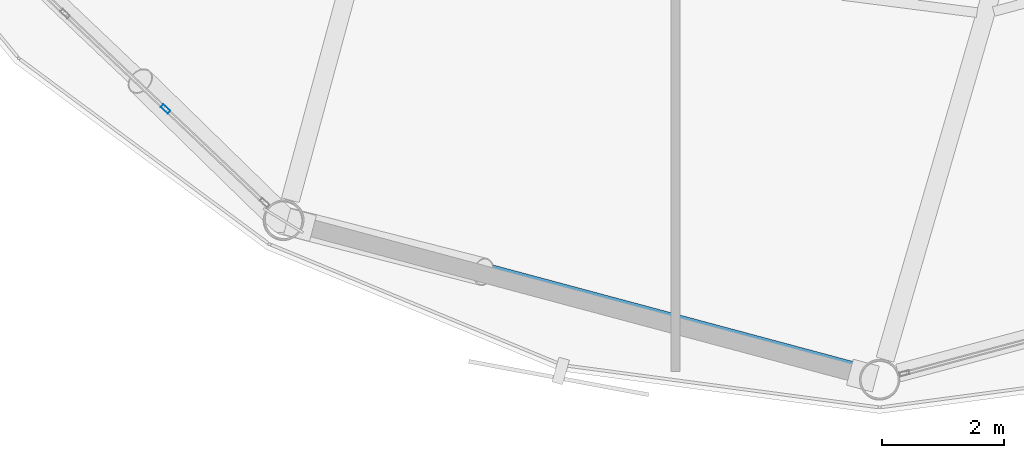
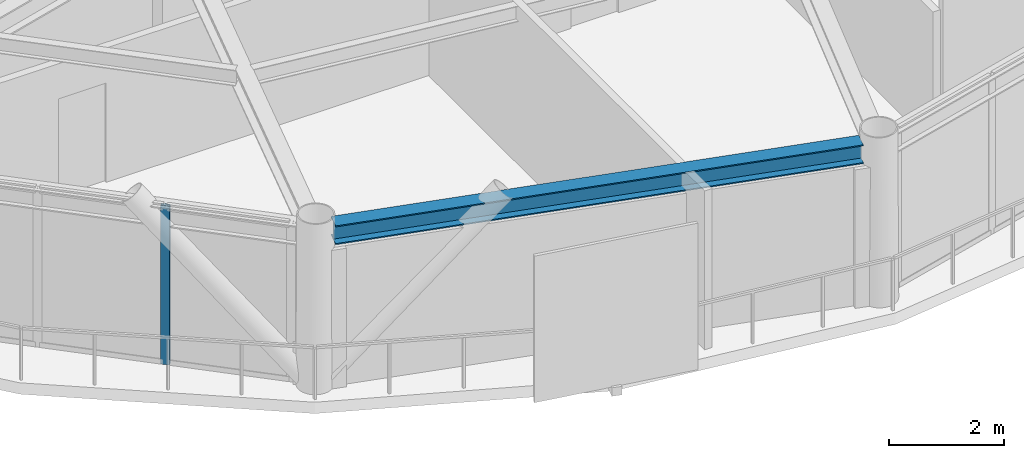
# One storey, part 3 of 29: 1 beam, 1 member, 1 element without a shape of its own.
"""IFC4 building model written with IfcOpenShell, lengths in metres."""

from ifc_helpers import new_model, si_unit, direction, frame, origin, origin_2d, place, context, subcontext, project, spatial, hollow_rectangle, i_section, extrude, material, layer, layer_set, material_profile, profile_set, type_object, element, aggregate, save


model = new_model("IFC4")

# Units and contexts
model_context = context("Model", 3, precision=1e-05, world=origin(), true_north=direction((0.0, 1.0)))
body_context = subcontext(model_context, "Body", "Model", "MODEL_VIEW")
ifc_project = project(units=[si_unit("LENGTHUNIT", "METRE"), si_unit("AREAUNIT", "SQUARE_METRE"), si_unit("VOLUMEUNIT", "CUBIC_METRE"), si_unit("PLANEANGLEUNIT", "RADIAN"), si_unit("MASSUNIT", "GRAM", prefix="KILO")], contexts=[model_context])

# Site, building, storey
site_placement = place(None, origin())
site = spatial("IfcSite", under=ifc_project, at=site_placement, CompositionType="ELEMENT")
building_placement = place(site_placement, origin())
building = spatial("IfcBuilding", under=site, at=building_placement, Name="Varnakorn Sky Granary", CompositionType="ELEMENT")
storey_placement = place(building_placement, frame((0.0, 0.0, 182.39990234375)))
storey = spatial("IfcBuildingStorey", under=building, at=storey_placement, Name="L45", CompositionType="ELEMENT", Elevation=182.39990234375)

# Beam
ifc_material_1 = material(Name="Steel S355JR", Category="steel")
ifc_material_profile_1 = material_profile(ifc_material_1, i_section(OverallWidth=0.300048828125, OverallDepth=0.39990234375, WebThickness=0.013427734375, FlangeThickness=0.02392578125, at=origin_2d()), Name="HE 400 B")
ifc_profile_set_1 = profile_set([ifc_material_profile_1], Name="Steel S355JR")
beam_type = type_object("IfcBeamType", Name="BM-SPD-Z4", PredefinedType="SPANDREL", material=ifc_profile_set_1)
beam_placement = place(storey_placement, frame((-4.601806640625, -16.1142578125, 3.16015625), z_axis=(0.965896949724, -0.258926789875, 0.0), x_axis=(0.258926789875, 0.965896949724, 0.0)))
element("IfcBeam", 1, at=beam_placement, inside=storey, type_object=beam_type, Name="Perimeter Spandrel Ring Beam RB09 L45", PredefinedType="SPANDREL", context=body_context, shape_type="SweptSolid", body=[
    extrude(i_section(OverallWidth=0.300048828125, OverallDepth=0.39990234375, WebThickness=0.013427734375, FlangeThickness=0.02392578125, at=origin_2d()), origin(), (0.0, 0.0, 1.0), 9.470458984375),
])

# Curtain wall, member
ifc_material_2 = material(Name="Anodised Bronze Aluminium Alloy 6063-T6", Category="aluminium")
ifc_layer = layer(ifc_material_2, 0.169921875, Name="Anodised Bronze Aluminium Alloy 6063-T6")
ifc_layer_set = layer_set([ifc_layer], Name="Anodised Bronze Aluminium Alloy 6063-T6")
curtain_wall_type = type_object("IfcCurtainWallType", Name="CW-LAB-1", PredefinedType="USERDEFINED", material=ifc_layer_set)
curtain_wall_placement = place(storey_placement, origin())
curtain_wall = element("IfcCurtainWall", 2, at=curtain_wall_placement, inside=storey, type_object=curtain_wall_type, Name="Unitised Curtain Wall CW5 CW-L45-B08", ObjectType="CURTAIN WALL", PredefinedType="USERDEFINED")
ifc_material_profile_2 = material_profile(ifc_material_2, hollow_rectangle(XDim=0.06494140625, YDim=0.159912109375, WallThickness=0.00341796875, at=origin_2d()), Name="ALU MULL 65x160")
ifc_profile_set_2 = profile_set([ifc_material_profile_2], Name="Anodised Bronze Aluminium Alloy 6063-T6")
member_type = type_object("IfcMemberType", Name="CW-LAB-1-MULL", PredefinedType="MULLION", material=ifc_profile_set_2)
member_placement = place(storey_placement, frame((-6.873291015625, -14.23095703125, 0.0), z_axis=(0.0, 0.0, 1.0), x_axis=(-0.687692477005, -0.726002105418, 0.0)))
member = element("IfcMember", 3, at=member_placement, type_object=member_type, Name="CW5 mullion 2", PredefinedType="MULLION", context=body_context, shape_type="SweptSolid", body=[
    extrude(hollow_rectangle(XDim=0.06494140625, YDim=0.159912109375, WallThickness=0.00341796875, at=origin_2d()), origin(), (0.0, 0.0, 1.0), 3.360107421875),
])
aggregate(curtain_wall, [member])

save(model, "model.ifc")
